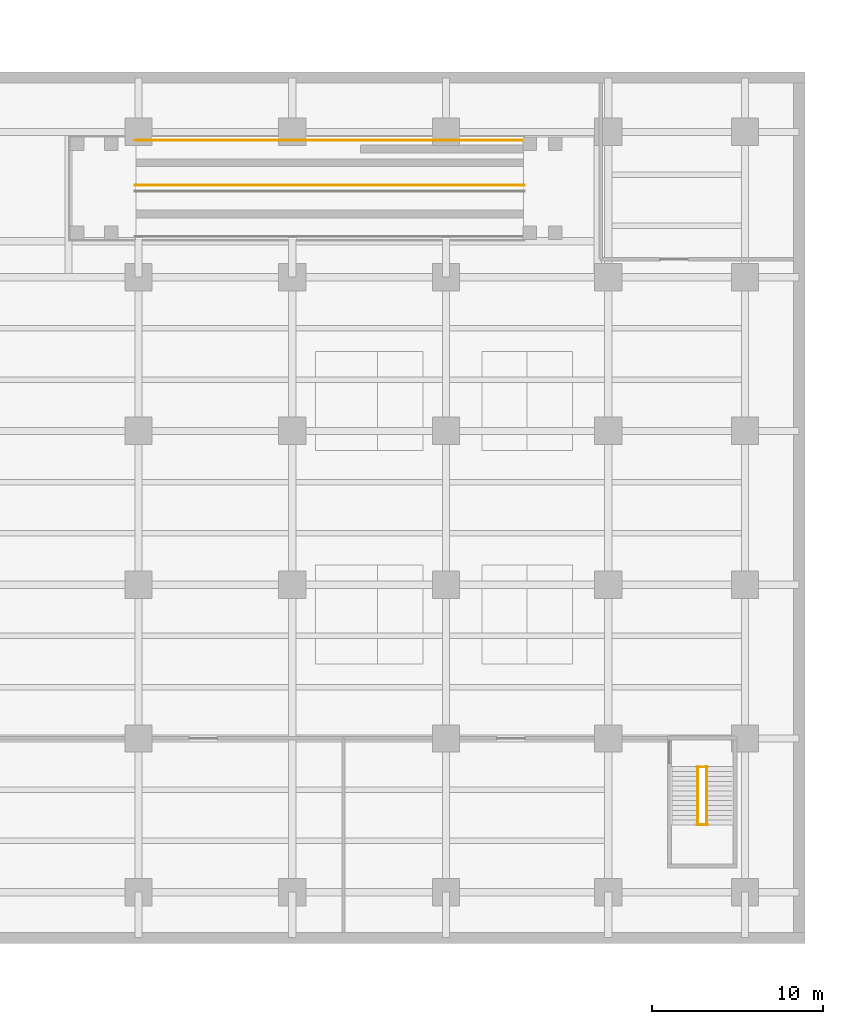
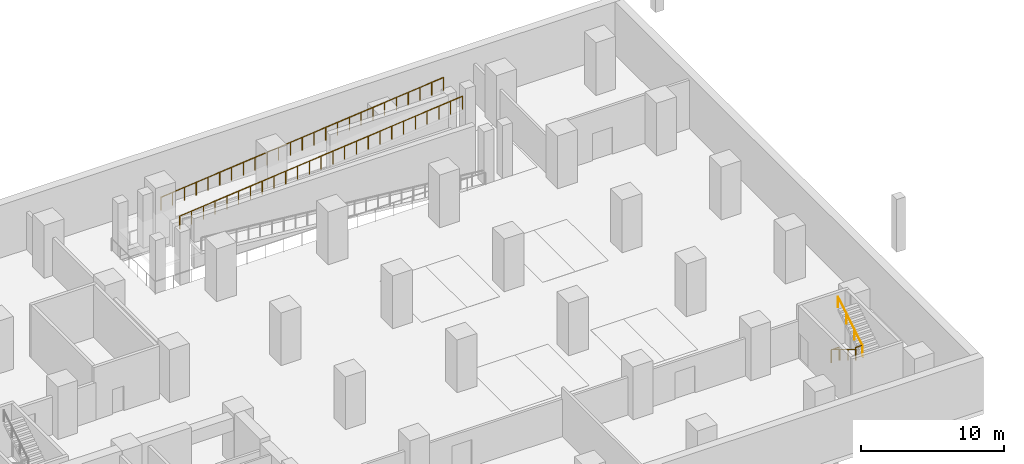
# One storey, part 10 of 10: 6 railings.
"""IFC4 building model written with IfcOpenShell, lengths in metres."""

from ifc_helpers import new_model, si_unit, direction, frame, origin, origin_2d, place, context, subcontext, project, spatial, circle, extrude, material, type_object, element, save


model = new_model("IFC4")

# Units and contexts
model_context = context("Model", 3, precision=1e-05, world=origin(), true_north=direction((0.0, 1.0)))
body_context = subcontext(model_context, "Body", "Model", "MODEL_VIEW")
ifc_project = project(units=[si_unit("LENGTHUNIT", "METRE"), si_unit("AREAUNIT", "SQUARE_METRE"), si_unit("VOLUMEUNIT", "CUBIC_METRE"), si_unit("PLANEANGLEUNIT", "RADIAN"), si_unit("MASSUNIT", "GRAM", prefix="KILO")], contexts=[model_context])

# Site, building, storey
site_placement = place(None, origin())
site = spatial("IfcSite", under=ifc_project, at=site_placement, CompositionType="ELEMENT")
building_placement = place(site_placement, origin())
building = spatial("IfcBuilding", under=site, at=building_placement, Name="Mawjdan Bourse Tower", CompositionType="ELEMENT")
storey_placement = place(building_placement, frame((0.0, 0.0, -9.0)))
storey = spatial("IfcBuildingStorey", under=building, at=storey_placement, Name="B02", CompositionType="ELEMENT", Elevation=-9.0)

# Railings
ifc_material_1 = material(Name="Structural Steel S355", Category="steel")
railing_type_1 = type_object("IfcRailingType", Name="RLG-GRD-1100", PredefinedType="GUARDRAIL", material=ifc_material_1)
for number, where, name in (
    (1, (65.68994140625, 6.949951171875, 2.25), "B02 ST6 Landing Guardrail GL-MID"),
    (2, (65.68994140625, 10.330078125, 0.0), "B02 ST6 Landing Guardrail GL-BOT"),
):
    element("IfcRailing", number, at=place(storey_placement, frame(where)), inside=storey, type_object=railing_type_1, Name=name, PredefinedType="GUARDRAIL", context=body_context, shape_type="SweptSolid", body=[
        extrude(circle(Radius=0.02490234375, at=origin_2d()), frame((0.0, 0.0, 1.0751953125), z_axis=(1.0, 0.0, 0.0), x_axis=(0.0, 1.0, 0.0)), (0.0, 0.0, 1.0), 0.6201171875),
        extrude(circle(Radius=0.02099609375, at=origin_2d()), origin(), (0.0, 0.0, 1.0), 1.050048828125),
        extrude(circle(Radius=0.02099609375, at=origin_2d()), frame((0.6201171875, 0.0, 0.0)), (0.0, 0.0, 1.0), 1.050048828125),
    ])
railing_1_placement = place(storey_placement, frame((32.800048828125, 44.3798828125, 2.2548828125)))
element("IfcRailing", 3, at=railing_1_placement, inside=storey, type_object=railing_type_1, Name="B02 Vehicle Ramp Flight 2 South Guardrail", PredefinedType="GUARDRAIL", context=body_context, shape_type="SweptSolid", body=[
    extrude(circle(Radius=0.02490234375, at=origin_2d()), frame((0.0, 0.0, 1.09521484375), z_axis=(0.995207073192, 0.0, 0.097789986546), x_axis=(0.0, 1.0, 0.0)), (0.0, 0.0, 1.0), 2.863525390625),
    extrude(circle(Radius=0.02490234375, at=origin_2d()), frame((2.849853515625, 0.0, 1.375), z_axis=(0.995207888393, 0.0, 0.097781689908), x_axis=(0.0, 1.0, 0.0)), (0.0, 0.0, 1.0), 2.86376953125),
    extrude(circle(Radius=0.02490234375, at=origin_2d()), frame((5.699951171875, 0.0, 1.6552734375), z_axis=(0.995207888393, 0.0, 0.097781689908), x_axis=(0.0, 1.0, 0.0)), (0.0, 0.0, 1.0), 2.86376953125),
    extrude(circle(Radius=0.02490234375, at=origin_2d()), frame((8.550048828125, 0.0, 1.93505859375), z_axis=(0.995207073192, 0.0, 0.097789986546), x_axis=(0.0, 1.0, 0.0)), (0.0, 0.0, 1.0), 2.863525390625),
    extrude(circle(Radius=0.02490234375, at=origin_2d()), frame((11.39990234375, 0.0, 2.21533203125), z_axis=(0.995207888393, 0.0, 0.097781689908), x_axis=(0.0, 1.0, 0.0)), (0.0, 0.0, 1.0), 2.86376953125),
    extrude(circle(Radius=0.02490234375, at=origin_2d()), frame((14.25, 0.0, 2.4951171875), z_axis=(0.995207073192, 0.0, 0.097789986546), x_axis=(0.0, 1.0, 0.0)), (0.0, 0.0, 1.0), 2.863525390625),
    extrude(circle(Radius=0.02490234375, at=origin_2d()), frame((17.099853515625, 0.0, 2.775390625), z_axis=(0.995207888393, 0.0, 0.097781689908), x_axis=(0.0, 1.0, 0.0)), (0.0, 0.0, 1.0), 2.86376953125),
    extrude(circle(Radius=0.02490234375, at=origin_2d()), frame((19.949951171875, 0.0, 3.05517578125), z_axis=(0.995207888393, 0.0, 0.097781689908), x_axis=(0.0, 1.0, 0.0)), (0.0, 0.0, 1.0), 2.86376953125),
    extrude(circle(Radius=0.02197265625, at=origin_2d()), origin(), (0.0, 0.0, 1.0), 1.070068359375),
    extrude(circle(Radius=0.02197265625, at=origin_2d()), frame((0.949951171875, 0.0, 0.09326171875)), (0.0, 0.0, 1.0), 1.070068359375),
    extrude(circle(Radius=0.02197265625, at=origin_2d()), frame((1.89990234375, 0.0, 0.186767578125)), (0.0, 0.0, 1.0), 1.070068359375),
    extrude(circle(Radius=0.02197265625, at=origin_2d()), frame((2.849853515625, 0.0, 0.280029296875)), (0.0, 0.0, 1.0), 1.070068359375),
    extrude(circle(Radius=0.02197265625, at=origin_2d()), frame((3.7998046875, 0.0, 0.373291015625)), (0.0, 0.0, 1.0), 1.070068359375),
    extrude(circle(Radius=0.02197265625, at=origin_2d()), frame((4.75, 0.0, 0.466796875)), (0.0, 0.0, 1.0), 1.070068359375),
    extrude(circle(Radius=0.02197265625, at=origin_2d()), frame((5.699951171875, 0.0, 0.56005859375)), (0.0, 0.0, 1.0), 1.070068359375),
    extrude(circle(Radius=0.02197265625, at=origin_2d()), frame((6.64990234375, 0.0, 0.6533203125)), (0.0, 0.0, 1.0), 1.070068359375),
    extrude(circle(Radius=0.02197265625, at=origin_2d()), frame((7.60009765625, 0.0, 0.746826171875)), (0.0, 0.0, 1.0), 1.070068359375),
    extrude(circle(Radius=0.02197265625, at=origin_2d()), frame((8.550048828125, 0.0, 0.840087890625)), (0.0, 0.0, 1.0), 1.070068359375),
    extrude(circle(Radius=0.02197265625, at=origin_2d()), frame((9.5, 0.0, 0.933349609375)), (0.0, 0.0, 1.0), 1.070068359375),
    extrude(circle(Radius=0.02197265625, at=origin_2d()), frame((10.449951171875, 0.0, 1.02685546875)), (0.0, 0.0, 1.0), 1.070068359375),
    extrude(circle(Radius=0.02197265625, at=origin_2d()), frame((11.39990234375, 0.0, 1.1201171875)), (0.0, 0.0, 1.0), 1.070068359375),
    extrude(circle(Radius=0.02197265625, at=origin_2d()), frame((12.349853515625, 0.0, 1.21337890625)), (0.0, 0.0, 1.0), 1.070068359375),
    extrude(circle(Radius=0.02197265625, at=origin_2d()), frame((13.300048828125, 0.0, 1.306884765625)), (0.0, 0.0, 1.0), 1.070068359375),
    extrude(circle(Radius=0.02197265625, at=origin_2d()), frame((14.25, 0.0, 1.400146484375)), (0.0, 0.0, 1.0), 1.070068359375),
    extrude(circle(Radius=0.02197265625, at=origin_2d()), frame((15.199951171875, 0.0, 1.493408203125)), (0.0, 0.0, 1.0), 1.070068359375),
    extrude(circle(Radius=0.02197265625, at=origin_2d()), frame((16.14990234375, 0.0, 1.5869140625)), (0.0, 0.0, 1.0), 1.070068359375),
    extrude(circle(Radius=0.02197265625, at=origin_2d()), frame((17.099853515625, 0.0, 1.68017578125)), (0.0, 0.0, 1.0), 1.070068359375),
    extrude(circle(Radius=0.02197265625, at=origin_2d()), frame((18.0498046875, 0.0, 1.7734375)), (0.0, 0.0, 1.0), 1.070068359375),
    extrude(circle(Radius=0.02197265625, at=origin_2d()), frame((19.0, 0.0, 1.866943359375)), (0.0, 0.0, 1.0), 1.070068359375),
    extrude(circle(Radius=0.02197265625, at=origin_2d()), frame((19.949951171875, 0.0, 1.960205078125)), (0.0, 0.0, 1.0), 1.070068359375),
    extrude(circle(Radius=0.02197265625, at=origin_2d()), frame((20.89990234375, 0.0, 2.053466796875)), (0.0, 0.0, 1.0), 1.070068359375),
    extrude(circle(Radius=0.02197265625, at=origin_2d()), frame((21.85009765625, 0.0, 2.14697265625)), (0.0, 0.0, 1.0), 1.070068359375),
    extrude(circle(Radius=0.02197265625, at=origin_2d()), frame((22.800048828125, 0.0, 2.240234375)), (0.0, 0.0, 1.0), 1.070068359375),
])
railing_2_placement = place(storey_placement, frame((32.800048828125, 47.02001953125, 2.2548828125)))
element("IfcRailing", 4, at=railing_2_placement, inside=storey, type_object=railing_type_1, Name="B02 Vehicle Ramp Flight 2 North Guardrail", PredefinedType="GUARDRAIL", context=body_context, shape_type="SweptSolid", body=[
    extrude(circle(Radius=0.02490234375, at=origin_2d()), frame((0.0, 0.0, 1.09521484375), z_axis=(0.995207073192, 0.0, 0.097789986546), x_axis=(0.0, 1.0, 0.0)), (0.0, 0.0, 1.0), 2.863525390625),
    extrude(circle(Radius=0.02490234375, at=origin_2d()), frame((2.849853515625, 0.0, 1.375), z_axis=(0.995207888393, 0.0, 0.097781689908), x_axis=(0.0, 1.0, 0.0)), (0.0, 0.0, 1.0), 2.86376953125),
    extrude(circle(Radius=0.02490234375, at=origin_2d()), frame((5.699951171875, 0.0, 1.6552734375), z_axis=(0.995207888393, 0.0, 0.097781689908), x_axis=(0.0, 1.0, 0.0)), (0.0, 0.0, 1.0), 2.86376953125),
    extrude(circle(Radius=0.02490234375, at=origin_2d()), frame((8.550048828125, 0.0, 1.93505859375), z_axis=(0.995207073192, 0.0, 0.097789986546), x_axis=(0.0, 1.0, 0.0)), (0.0, 0.0, 1.0), 2.863525390625),
    extrude(circle(Radius=0.02490234375, at=origin_2d()), frame((11.39990234375, 0.0, 2.21533203125), z_axis=(0.995207888393, 0.0, 0.097781689908), x_axis=(0.0, 1.0, 0.0)), (0.0, 0.0, 1.0), 2.86376953125),
    extrude(circle(Radius=0.02490234375, at=origin_2d()), frame((14.25, 0.0, 2.4951171875), z_axis=(0.995207073192, 0.0, 0.097789986546), x_axis=(0.0, 1.0, 0.0)), (0.0, 0.0, 1.0), 2.863525390625),
    extrude(circle(Radius=0.02490234375, at=origin_2d()), frame((17.099853515625, 0.0, 2.775390625), z_axis=(0.995207888393, 0.0, 0.097781689908), x_axis=(0.0, 1.0, 0.0)), (0.0, 0.0, 1.0), 2.86376953125),
    extrude(circle(Radius=0.02490234375, at=origin_2d()), frame((19.949951171875, 0.0, 3.05517578125), z_axis=(0.995207888393, 0.0, 0.097781689908), x_axis=(0.0, 1.0, 0.0)), (0.0, 0.0, 1.0), 2.86376953125),
    extrude(circle(Radius=0.02197265625, at=origin_2d()), origin(), (0.0, 0.0, 1.0), 1.070068359375),
    extrude(circle(Radius=0.02197265625, at=origin_2d()), frame((0.949951171875, 0.0, 0.09326171875)), (0.0, 0.0, 1.0), 1.070068359375),
    extrude(circle(Radius=0.02197265625, at=origin_2d()), frame((1.89990234375, 0.0, 0.186767578125)), (0.0, 0.0, 1.0), 1.070068359375),
    extrude(circle(Radius=0.02197265625, at=origin_2d()), frame((2.849853515625, 0.0, 0.280029296875)), (0.0, 0.0, 1.0), 1.070068359375),
    extrude(circle(Radius=0.02197265625, at=origin_2d()), frame((3.7998046875, 0.0, 0.373291015625)), (0.0, 0.0, 1.0), 1.070068359375),
    extrude(circle(Radius=0.02197265625, at=origin_2d()), frame((4.75, 0.0, 0.466796875)), (0.0, 0.0, 1.0), 1.070068359375),
    extrude(circle(Radius=0.02197265625, at=origin_2d()), frame((5.699951171875, 0.0, 0.56005859375)), (0.0, 0.0, 1.0), 1.070068359375),
    extrude(circle(Radius=0.02197265625, at=origin_2d()), frame((6.64990234375, 0.0, 0.6533203125)), (0.0, 0.0, 1.0), 1.070068359375),
    extrude(circle(Radius=0.02197265625, at=origin_2d()), frame((7.60009765625, 0.0, 0.746826171875)), (0.0, 0.0, 1.0), 1.070068359375),
    extrude(circle(Radius=0.02197265625, at=origin_2d()), frame((8.550048828125, 0.0, 0.840087890625)), (0.0, 0.0, 1.0), 1.070068359375),
    extrude(circle(Radius=0.02197265625, at=origin_2d()), frame((9.5, 0.0, 0.933349609375)), (0.0, 0.0, 1.0), 1.070068359375),
    extrude(circle(Radius=0.02197265625, at=origin_2d()), frame((10.449951171875, 0.0, 1.02685546875)), (0.0, 0.0, 1.0), 1.070068359375),
    extrude(circle(Radius=0.02197265625, at=origin_2d()), frame((11.39990234375, 0.0, 1.1201171875)), (0.0, 0.0, 1.0), 1.070068359375),
    extrude(circle(Radius=0.02197265625, at=origin_2d()), frame((12.349853515625, 0.0, 1.21337890625)), (0.0, 0.0, 1.0), 1.070068359375),
    extrude(circle(Radius=0.02197265625, at=origin_2d()), frame((13.300048828125, 0.0, 1.306884765625)), (0.0, 0.0, 1.0), 1.070068359375),
    extrude(circle(Radius=0.02197265625, at=origin_2d()), frame((14.25, 0.0, 1.400146484375)), (0.0, 0.0, 1.0), 1.070068359375),
    extrude(circle(Radius=0.02197265625, at=origin_2d()), frame((15.199951171875, 0.0, 1.493408203125)), (0.0, 0.0, 1.0), 1.070068359375),
    extrude(circle(Radius=0.02197265625, at=origin_2d()), frame((16.14990234375, 0.0, 1.5869140625)), (0.0, 0.0, 1.0), 1.070068359375),
    extrude(circle(Radius=0.02197265625, at=origin_2d()), frame((17.099853515625, 0.0, 1.68017578125)), (0.0, 0.0, 1.0), 1.070068359375),
    extrude(circle(Radius=0.02197265625, at=origin_2d()), frame((18.0498046875, 0.0, 1.7734375)), (0.0, 0.0, 1.0), 1.070068359375),
    extrude(circle(Radius=0.02197265625, at=origin_2d()), frame((19.0, 0.0, 1.866943359375)), (0.0, 0.0, 1.0), 1.070068359375),
    extrude(circle(Radius=0.02197265625, at=origin_2d()), frame((19.949951171875, 0.0, 1.960205078125)), (0.0, 0.0, 1.0), 1.070068359375),
    extrude(circle(Radius=0.02197265625, at=origin_2d()), frame((20.89990234375, 0.0, 2.053466796875)), (0.0, 0.0, 1.0), 1.070068359375),
    extrude(circle(Radius=0.02197265625, at=origin_2d()), frame((21.85009765625, 0.0, 2.14697265625)), (0.0, 0.0, 1.0), 1.070068359375),
    extrude(circle(Radius=0.02197265625, at=origin_2d()), frame((22.800048828125, 0.0, 2.240234375)), (0.0, 0.0, 1.0), 1.070068359375),
])
ifc_material_2 = material(Name="Brushed Stainless Steel", Category="steel")
railing_type_2 = type_object("IfcRailingType", Name="RLG-HND-920", PredefinedType="HANDRAIL", material=ifc_material_2)
railing_3_placement = place(storey_placement, frame((65.739990234375, 10.35009765625, 0.173095703125)))
element("IfcRailing", 5, at=railing_3_placement, inside=storey, type_object=railing_type_2, Name="B02 ST6 Flight Handrail HR1", PredefinedType="HANDRAIL", context=body_context, shape_type="SweptSolid", body=[
    extrude(circle(Radius=0.0224609375, at=origin_2d()), frame((0.0, 0.0, 0.8974609375), z_axis=(0.0, -0.854745945586, 0.519046595696), x_axis=(1.0, 0.0, 0.0)), (0.0, 0.0, 1.0), 4.00146484375),
    extrude(circle(Radius=0.01904296875, at=origin_2d()), origin(), (0.0, 0.0, 1.0), 0.875),
    extrude(circle(Radius=0.01904296875, at=origin_2d()), frame((0.0, -1.14013671875, 0.6923828125)), (0.0, 0.0, 1.0), 0.875),
    extrude(circle(Radius=0.01904296875, at=origin_2d()), frame((0.0, -2.280029296875, 1.384521484375)), (0.0, 0.0, 1.0), 0.875),
    extrude(circle(Radius=0.01904296875, at=origin_2d()), frame((0.0, -3.420166015625, 2.076904296875)), (0.0, 0.0, 1.0), 0.875),
])
railing_4_placement = place(storey_placement, frame((66.260009765625, 6.929931640625, 2.423095703125)))
element("IfcRailing", 6, at=railing_4_placement, inside=storey, type_object=railing_type_2, Name="B02 ST6 Flight Handrail HR2", PredefinedType="HANDRAIL", context=body_context, shape_type="SweptSolid", body=[
    extrude(circle(Radius=0.0224609375, at=origin_2d()), frame((0.0, 0.0, 0.8974609375), z_axis=(0.0, 0.854745945586, 0.519046595696), x_axis=(-1.0, 0.0, 0.0)), (0.0, 0.0, 1.0), 4.00146484375),
    extrude(circle(Radius=0.01904296875, at=origin_2d()), origin(), (0.0, 0.0, 1.0), 0.875),
    extrude(circle(Radius=0.01904296875, at=origin_2d()), frame((0.0, 1.14013671875, 0.6923828125)), (0.0, 0.0, 1.0), 0.875),
    extrude(circle(Radius=0.01904296875, at=origin_2d()), frame((0.0, 2.280029296875, 1.384521484375)), (0.0, 0.0, 1.0), 0.875),
    extrude(circle(Radius=0.01904296875, at=origin_2d()), frame((0.0, 3.420166015625, 2.076904296875)), (0.0, 0.0, 1.0), 0.875),
])

save(model, "model.ifc")
